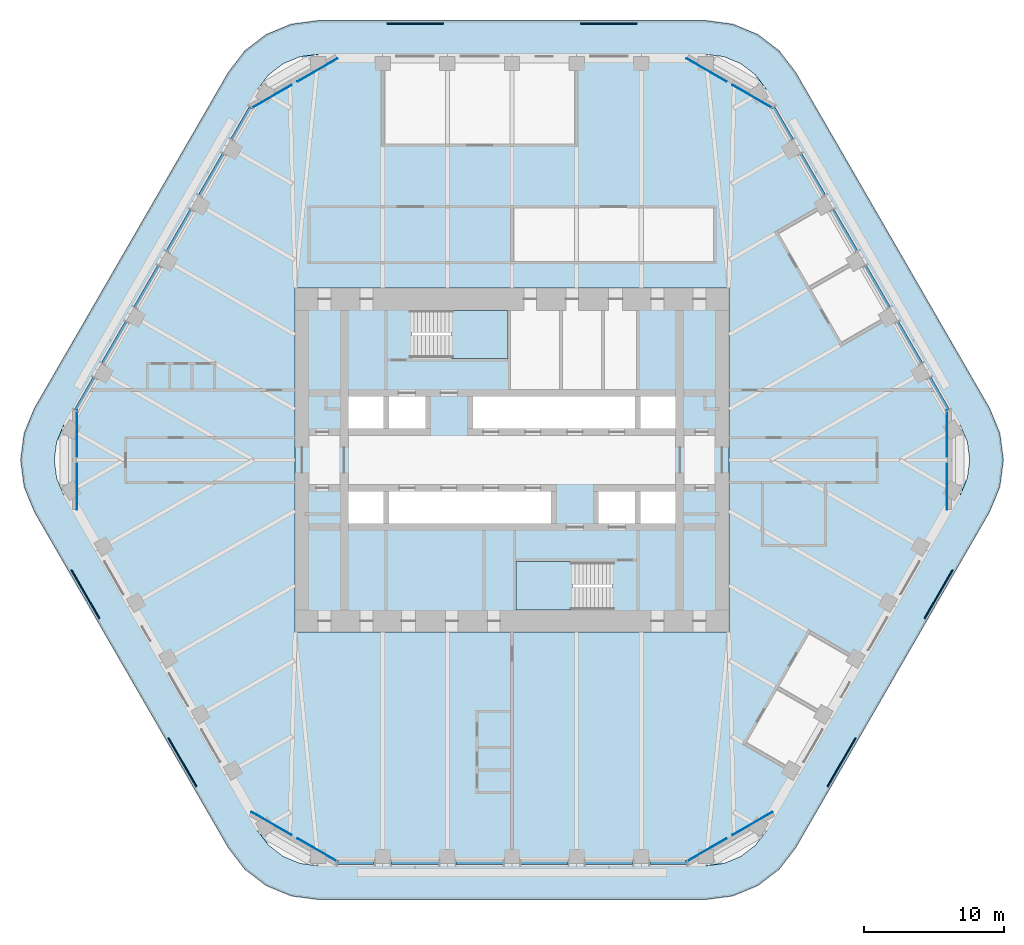
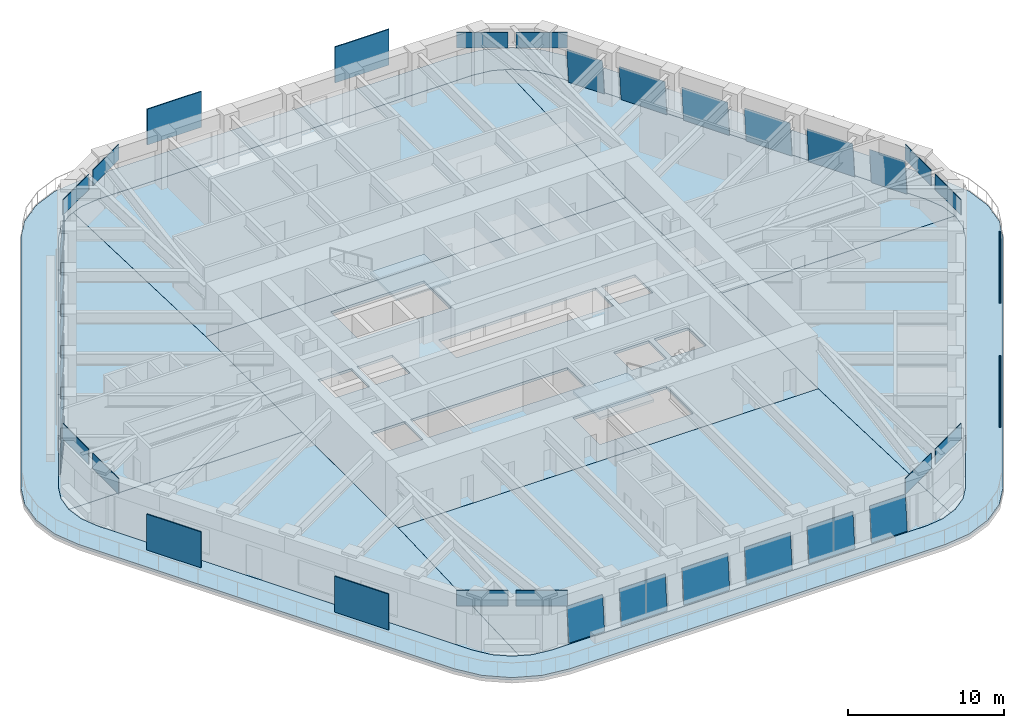
# One storey, part 13 of 20: 36 plates, 10 slabs, 20 elements without a shape of their own.
"""IFC4 building model written with IfcOpenShell, lengths in metres."""

from ifc_helpers import new_model, si_unit, direction, frame, origin, origin_2d, place, context, subcontext, project, spatial, polyline, rectangle, outline, extrude, material, layer, layer_set, type_object, element, aggregate, save


model = new_model("IFC4")

# Units and contexts
model_context = context("Model", 3, precision=1e-05, world=origin(), true_north=direction((0.0, 1.0)))
body_context = subcontext(model_context, "Body", "Model", "MODEL_VIEW")
ifc_project = project(units=[si_unit("LENGTHUNIT", "METRE"), si_unit("AREAUNIT", "SQUARE_METRE"), si_unit("VOLUMEUNIT", "CUBIC_METRE"), si_unit("PLANEANGLEUNIT", "RADIAN"), si_unit("MASSUNIT", "GRAM", prefix="KILO")], contexts=[model_context])

# Site, building, storey
site_placement = place(None, origin())
site = spatial("IfcSite", under=ifc_project, at=site_placement, CompositionType="ELEMENT")
building_placement = place(site_placement, origin())
building = spatial("IfcBuilding", under=site, at=building_placement, Name="Tarfa Lantern Tower", CompositionType="ELEMENT")
storey_placement = place(building_placement, frame((0.0, 0.0, 278.5)))
storey = spatial("IfcBuildingStorey", under=building, at=storey_placement, Name="L63", CompositionType="ELEMENT", Elevation=278.5)

# Slab
ifc_material_1 = material(Name="Concrete C40/50", Category="concrete")
ifc_layer_1 = layer(ifc_material_1, 0.199951171875)
ifc_layer_set_1 = layer_set([ifc_layer_1], Name="BS2 BALCONY SLAB 200")
slab_type_1 = type_object("IfcSlabType", Name="BS2 BALCONY SLAB 200", PredefinedType="FLOOR", material=ifc_layer_set_1)
slab_1_placement = place(storey_placement, frame((0.0, 0.0, -0.199951171875)))
element("IfcSlab", 1, at=slab_1_placement, inside=storey, type_object=slab_type_1, Name="Balcony L63", PredefinedType="FLOOR", context=body_context, shape_type="SweptSolid", body=[
    extrude(outline(polyline([(34.121337890625, 3.699951171875), (20.264892578125, 27.699951171875), (19.089111328125, 29.232666015625), (17.556396484375, 30.40869140625), (15.771728515625, 31.14794921875), (13.8564453125, 31.39990234375), (-13.8564453125, 31.39990234375), (-15.771728515625, 31.14794921875), (-17.556396484375, 30.40869140625), (-19.089111328125, 29.232666015625), (-20.264892578125, 27.699951171875), (-34.121337890625, 3.699951171875), (-34.860595703125, 1.915283203125), (-35.11279296875, 0.0), (-34.860595703125, -1.915283203125), (-34.121337890625, -3.699951171875), (-20.264892578125, -27.699951171875), (-19.089111328125, -29.232666015625), (-17.556396484375, -30.40869140625), (-15.771728515625, -31.14794921875), (-13.8564453125, -31.39990234375), (13.8564453125, -31.39990234375), (15.771728515625, -31.14794921875), (17.556396484375, -30.40869140625), (19.089111328125, -29.232666015625), (20.264892578125, -27.699951171875), (34.121337890625, -3.699951171875), (34.860595703125, -1.915283203125), (35.11279296875, 0.0), (34.860595703125, 1.915283203125), (34.121337890625, 3.699951171875)]), holes=[polyline([(32.04296875, 2.5), (18.1865234375, 26.5), (17.391845703125, 27.53564453125), (16.3564453125, 28.330078125), (15.150390625, 28.82958984375), (13.8564453125, 29.0), (-13.8564453125, 29.0), (-15.150390625, 28.82958984375), (-16.3564453125, 28.330078125), (-17.391845703125, 27.53564453125), (-18.1865234375, 26.5), (-32.04296875, 2.5), (-32.54248046875, 1.294189453125), (-32.712890625, 0.0), (-32.54248046875, -1.294189453125), (-32.04296875, -2.5), (-18.1865234375, -26.5), (-17.391845703125, -27.53564453125), (-16.3564453125, -28.330078125), (-15.150390625, -28.82958984375), (-13.8564453125, -29.0), (13.8564453125, -29.0), (15.150390625, -28.82958984375), (16.3564453125, -28.330078125), (17.391845703125, -27.53564453125), (18.1865234375, -26.5), (32.04296875, -2.5), (32.54248046875, -1.294189453125), (32.712890625, 0.0), (32.54248046875, 1.294189453125), (32.04296875, 2.5)])]), origin(), (0.0, 0.0, 1.0), 0.199951171875),
])

# Curtain wall, plate
ifc_material_2 = material(Name="Aluminium framed curtain wall", Category="aluminium")
curtain_wall_type = type_object("IfcCurtainWallType", Name="CW3 CANTED GLAZING HIGH ZONE 2800", PredefinedType="USERDEFINED", material=ifc_material_2)
curtain_wall_1_placement = place(storey_placement, origin())
curtain_wall_1 = element("IfcCurtainWall", 2, at=curtain_wall_1_placement, inside=storey, type_object=curtain_wall_type, Name="CW3 NE L63", ObjectType="CURTAIN WALL", PredefinedType="USERDEFINED")
ifc_material_3 = material(Name="Laminated double glazing", Category="glass")
ifc_layer_2 = layer(ifc_material_3, 0.028076171875)
ifc_layer_set_2 = layer_set([ifc_layer_2], Name="CWP1 DOUBLE GLAZED PANEL")
plate_type_1 = type_object("IfcPlateType", Name="CWP1 DOUBLE GLAZED PANEL", PredefinedType="CURTAIN_PANEL", material=ifc_layer_set_2)
plate_1_placement = place(storey_placement, frame((31.27392578125, 3.632080078125, 0.0), z_axis=(0.862596006768, 0.498013045463, 0.08894456508), x_axis=(-0.499995010144, 0.866028284653, 3.548924e-06)))
plate_1 = element("IfcPlate", 3, at=plate_1_placement, type_object=plate_type_1, Name="CW3 panel 1.1", PredefinedType="CURTAIN_PANEL", context=body_context, shape_type="SweptSolid", body=[
    extrude(outline(polyline([(0.0, 0.0), (2.63900483458552, 0.0), (2.639010033574038, 2.7459815404063015), (0.00012726808279123097, 2.7460003457631657), (0.0, 0.0)])), origin(), (0.0, 0.0, -1.0), 0.028076171875),
])
aggregate(curtain_wall_1, [plate_1])

curtain_wall_2_placement = place(storey_placement, origin())
curtain_wall_2 = element("IfcCurtainWall", 4, at=curtain_wall_2_placement, inside=storey, type_object=curtain_wall_type, Name="CW3 NE L63", ObjectType="CURTAIN WALL", PredefinedType="USERDEFINED")
plate_2_placement = place(storey_placement, frame((29.33935546875, 6.982666015625, 0.0), z_axis=(0.862606111226, 0.498002363523, 0.08890637098), x_axis=(-0.499982299553, 0.866035622901, 0.0)))
plate_2 = element("IfcPlate", 5, at=plate_2_placement, type_object=plate_type_1, Name="CW3 panel 1.1", PredefinedType="CURTAIN_PANEL", context=body_context, shape_type="SweptSolid", body=[
    extrude(outline(polyline([(0.0, 0.0), (3.3887918412577953, 0.0), (3.3887837504284137, 2.74598154241817), (-8.090829381399156e-06, 2.74598154241817), (0.0, 0.0)])), origin(), (0.0, 0.0, -1.0), 0.028076171875),
])
aggregate(curtain_wall_2, [plate_2])

curtain_wall_3_placement = place(storey_placement, origin())
curtain_wall_3 = element("IfcCurtainWall", 6, at=curtain_wall_3_placement, inside=storey, type_object=curtain_wall_type, Name="CW3 NE L63", ObjectType="CURTAIN WALL", PredefinedType="USERDEFINED")
plate_3_placement = place(storey_placement, frame((27.030029296875, 10.982666015625, 0.0), z_axis=(0.862606111226, 0.498002363523, 0.08890637098), x_axis=(-0.499982299553, 0.866035622901, 0.0)))
plate_3 = element("IfcPlate", 7, at=plate_3_placement, type_object=plate_type_1, Name="CW3 panel 1.1", PredefinedType="CURTAIN_PANEL", context=body_context, shape_type="SweptSolid", body=[
    extrude(outline(polyline([(0.0, 0.0), (3.3887918412577953, 0.0), (3.3887837504284137, 2.74598154241817), (-8.090829381399156e-06, 2.74598154241817), (0.0, 0.0)])), origin(), (0.0, 0.0, -1.0), 0.028076171875),
])
aggregate(curtain_wall_3, [plate_3])

curtain_wall_4_placement = place(storey_placement, origin())
curtain_wall_4 = element("IfcCurtainWall", 8, at=curtain_wall_4_placement, inside=storey, type_object=curtain_wall_type, Name="CW3 NE L63", ObjectType="CURTAIN WALL", PredefinedType="USERDEFINED")
plate_4_placement = place(storey_placement, frame((24.720703125, 14.982666015625, 0.0), z_axis=(0.862587622286, 0.498027567796, 0.088944564725), x_axis=(-0.500009529513, 0.866019901843, 2.763581e-06)))
plate_4 = element("IfcPlate", 9, at=plate_4_placement, type_object=plate_type_1, Name="CW3 panel 1.1", PredefinedType="CURTAIN_PANEL", context=body_context, shape_type="SweptSolid", body=[
    extrude(outline(polyline([(0.0, 0.0), (3.3889139122087784, 5.551115123125783e-17), (3.3889210562595635, 2.7459815404019694), (0.00012921668982732873, 2.746000345672202), (0.0, 0.0)])), origin(), (0.0, 0.0, -1.0), 0.028076171875),
])
aggregate(curtain_wall_4, [plate_4])

curtain_wall_5_placement = place(storey_placement, origin())
curtain_wall_5 = element("IfcCurtainWall", 10, at=curtain_wall_5_placement, inside=storey, type_object=curtain_wall_type, Name="CW3 NE L63", ObjectType="CURTAIN WALL", PredefinedType="USERDEFINED")
plate_5_placement = place(storey_placement, frame((22.4111328125, 18.982666015625, 0.0), z_axis=(0.862606111226, 0.498002363523, 0.08890637098), x_axis=(-0.499982299553, 0.866035622901, 0.0)))
plate_5 = element("IfcPlate", 11, at=plate_5_placement, type_object=plate_type_1, Name="CW3 panel 1.1", PredefinedType="CURTAIN_PANEL", context=body_context, shape_type="SweptSolid", body=[
    extrude(outline(polyline([(0.0, 0.0), (3.3887918412577953, 0.0), (3.3887837504284137, 2.74598154241817), (-8.090829381399156e-06, 2.74598154241817), (0.0, 0.0)])), origin(), (0.0, 0.0, -1.0), 0.028076171875),
])
aggregate(curtain_wall_5, [plate_5])

curtain_wall_6_placement = place(storey_placement, origin())
curtain_wall_6 = element("IfcCurtainWall", 12, at=curtain_wall_6_placement, inside=storey, type_object=curtain_wall_type, Name="CW3 NE L63", ObjectType="CURTAIN WALL", PredefinedType="USERDEFINED")
plate_6_placement = place(storey_placement, frame((20.101806640625, 22.982666015625, 0.0), z_axis=(0.862595873499, 0.498020096195, 0.088906371021), x_axis=(-0.500000102728, 0.866025344474, 0.0)))
plate_6 = element("IfcPlate", 13, at=plate_6_placement, type_object=plate_type_1, Name="CW3 panel 1.1", PredefinedType="CURTAIN_PANEL", context=body_context, shape_type="SweptSolid", body=[
    extrude(outline(polyline([(0.0, 0.0), (2.638671332866802, -2.7755575615628914e-17), (2.638668260778366, 2.7459815424283702), (-3.072088436501354e-06, 2.7459815424283702), (0.0, 0.0)])), origin(), (0.0, 0.0, -1.0), 0.028076171875),
])
aggregate(curtain_wall_6, [plate_6])

curtain_wall_7_placement = place(storey_placement, origin())
curtain_wall_7 = element("IfcCurtainWall", 14, at=curtain_wall_7_placement, inside=storey, type_object=curtain_wall_type, Name="CW3 NW L63", ObjectType="CURTAIN WALL", PredefinedType="USERDEFINED")
plate_7_placement = place(storey_placement, frame((-18.782470703125, 25.267822265625, 0.0), z_axis=(-0.862595873499, 0.498020096195, 0.088906371021), x_axis=(-0.500000102728, -0.866025344474, 0.0)))
plate_7 = element("IfcPlate", 15, at=plate_7_placement, type_object=plate_type_1, Name="CW3 panel 1.1", PredefinedType="CURTAIN_PANEL", context=body_context, shape_type="SweptSolid", body=[
    extrude(outline(polyline([(0.0, 0.0), (2.638671332866802, 2.7755575615628914e-17), (2.6386744049552386, 2.7459815424283702), (3.072088436501354e-06, 2.7459815424283702), (0.0, 0.0)])), origin(), (0.0, 0.0, -1.0), 0.028076171875),
])
aggregate(curtain_wall_7, [plate_7])

curtain_wall_8_placement = place(storey_placement, origin())
curtain_wall_8 = element("IfcCurtainWall", 16, at=curtain_wall_8_placement, inside=storey, type_object=curtain_wall_type, Name="CW3 NW L63", ObjectType="CURTAIN WALL", PredefinedType="USERDEFINED")
plate_8_placement = place(storey_placement, frame((-20.716796875, 21.91748046875, 0.0), z_axis=(-0.862606111226, 0.498002363523, 0.08890637098), x_axis=(-0.499982299553, -0.866035622901, 0.0)))
plate_8 = element("IfcPlate", 17, at=plate_8_placement, type_object=plate_type_1, Name="CW3 panel 1.1", PredefinedType="CURTAIN_PANEL", context=body_context, shape_type="SweptSolid", body=[
    extrude(outline(polyline([(0.0, 0.0), (3.3887918412577953, 0.0), (3.3887999320871764, 2.74598154241817), (8.090829381399156e-06, 2.74598154241817), (0.0, 0.0)])), origin(), (0.0, 0.0, -1.0), 0.028076171875),
])
aggregate(curtain_wall_8, [plate_8])

curtain_wall_9_placement = place(storey_placement, origin())
curtain_wall_9 = element("IfcCurtainWall", 18, at=curtain_wall_9_placement, inside=storey, type_object=curtain_wall_type, Name="CW3 NW L63", ObjectType="CURTAIN WALL", PredefinedType="USERDEFINED")
plate_9_placement = place(storey_placement, frame((-23.026123046875, 17.91748046875, 0.0), z_axis=(-0.862587622286, 0.498027567796, 0.088944564725), x_axis=(-0.500009529513, -0.866019901843, -2.763581e-06)))
plate_9 = element("IfcPlate", 19, at=plate_9_placement, type_object=plate_type_1, Name="CW3 panel 1.1", PredefinedType="CURTAIN_PANEL", context=body_context, shape_type="SweptSolid", body=[
    extrude(outline(polyline([(0.0, 0.0), (3.3889139122087784, -5.551115123125783e-17), (3.3887846955189507, 2.746000345672202), (-7.144050785966382e-06, 2.7459815404019694), (0.0, 0.0)])), origin(), (0.0, 0.0, -1.0), 0.028076171875),
])
aggregate(curtain_wall_9, [plate_9])

curtain_wall_10_placement = place(storey_placement, origin())
curtain_wall_10 = element("IfcCurtainWall", 20, at=curtain_wall_10_placement, inside=storey, type_object=curtain_wall_type, Name="CW3 NW L63", ObjectType="CURTAIN WALL", PredefinedType="USERDEFINED")
plate_10_placement = place(storey_placement, frame((-25.335693359375, 13.91748046875, 0.0), z_axis=(-0.862606111226, 0.498002363523, 0.08890637098), x_axis=(-0.499982299553, -0.866035622901, 0.0)))
plate_10 = element("IfcPlate", 21, at=plate_10_placement, type_object=plate_type_1, Name="CW3 panel 1.1", PredefinedType="CURTAIN_PANEL", context=body_context, shape_type="SweptSolid", body=[
    extrude(outline(polyline([(0.0, 0.0), (3.3887918412577953, 0.0), (3.3887999320871764, 2.74598154241817), (8.090829381399156e-06, 2.74598154241817), (0.0, 0.0)])), origin(), (0.0, 0.0, -1.0), 0.028076171875),
])
aggregate(curtain_wall_10, [plate_10])

curtain_wall_11_placement = place(storey_placement, origin())
curtain_wall_11 = element("IfcCurtainWall", 22, at=curtain_wall_11_placement, inside=storey, type_object=curtain_wall_type, Name="CW3 NW L63", ObjectType="CURTAIN WALL", PredefinedType="USERDEFINED")
plate_11_placement = place(storey_placement, frame((-27.64501953125, 9.91748046875, 0.0), z_axis=(-0.862606111226, 0.498002363523, 0.08890637098), x_axis=(-0.499982299553, -0.866035622901, 0.0)))
plate_11 = element("IfcPlate", 23, at=plate_11_placement, type_object=plate_type_1, Name="CW3 panel 1.1", PredefinedType="CURTAIN_PANEL", context=body_context, shape_type="SweptSolid", body=[
    extrude(outline(polyline([(0.0, 0.0), (3.3887918412577953, 0.0), (3.3887999320871764, 2.74598154241817), (8.090829381399156e-06, 2.74598154241817), (0.0, 0.0)])), origin(), (0.0, 0.0, -1.0), 0.028076171875),
])
aggregate(curtain_wall_11, [plate_11])

curtain_wall_12_placement = place(storey_placement, origin())
curtain_wall_12 = element("IfcCurtainWall", 24, at=curtain_wall_12_placement, inside=storey, type_object=curtain_wall_type, Name="CW3 NW L63", ObjectType="CURTAIN WALL", PredefinedType="USERDEFINED")
plate_12_placement = place(storey_placement, frame((-29.954345703125, 5.91748046875, 0.0), z_axis=(-0.862596006768, 0.498013045463, 0.08894456508), x_axis=(-0.499995010144, -0.866028284653, -3.548924e-06)))
plate_12 = element("IfcPlate", 25, at=plate_12_placement, type_object=plate_type_1, Name="CW3 panel 1.1", PredefinedType="CURTAIN_PANEL", context=body_context, shape_type="SweptSolid", body=[
    extrude(outline(polyline([(0.0, 0.0), (2.63900483458552, 0.0), (2.6388775665027286, 2.7460003457631657), (-5.198988517736766e-06, 2.7459815404063015), (0.0, 0.0)])), origin(), (0.0, 0.0, -1.0), 0.028076171875),
])
aggregate(curtain_wall_12, [plate_12])

curtain_wall_13_placement = place(storey_placement, origin())
curtain_wall_13 = element("IfcCurtainWall", 26, at=curtain_wall_13_placement, inside=storey, type_object=curtain_wall_type, Name="CW3 S L63", ObjectType="CURTAIN WALL", PredefinedType="USERDEFINED")
plate_13_placement = place(storey_placement, frame((-12.491455078125, -28.89990234375, 0.0), z_axis=(0.0, -0.996039814532, 0.088908311571), x_axis=(1.0, 0.0, 0.0)))
plate_13 = element("IfcPlate", 27, at=plate_13_placement, type_object=plate_type_1, Name="CW3 panel 1.1", PredefinedType="CURTAIN_PANEL", context=body_context, shape_type="SweptSolid", body=[
    extrude(outline(polyline([(0.0, 0.0), (2.638916015625, 0.0), (2.638916015625, 2.7459820199650076), (0.0, 2.7459820199650076), (0.0, 0.0)])), origin(), (0.0, 0.0, -1.0), 0.028076171875),
])
aggregate(curtain_wall_13, [plate_13])

curtain_wall_14_placement = place(storey_placement, origin())
curtain_wall_14 = element("IfcCurtainWall", 28, at=curtain_wall_14_placement, inside=storey, type_object=curtain_wall_type, Name="CW3 S L63", ObjectType="CURTAIN WALL", PredefinedType="USERDEFINED")
plate_14_placement = place(storey_placement, frame((-8.62255859375, -28.89990234375, 0.0), z_axis=(0.0, -0.996039814532, 0.088908311571), x_axis=(1.0, 0.0, 0.0)))
plate_14 = element("IfcPlate", 29, at=plate_14_placement, type_object=plate_type_1, Name="CW3 panel 1.1", PredefinedType="CURTAIN_PANEL", context=body_context, shape_type="SweptSolid", body=[
    extrude(outline(polyline([(0.0, 0.0), (3.388671875, 0.0), (3.388671875, 2.745982019965007), (0.0, 2.745982019965007), (0.0, 0.0)])), origin(), (0.0, 0.0, -1.0), 0.028076171875),
])
aggregate(curtain_wall_14, [plate_14])

curtain_wall_15_placement = place(storey_placement, origin())
curtain_wall_15 = element("IfcCurtainWall", 30, at=curtain_wall_15_placement, inside=storey, type_object=curtain_wall_type, Name="CW3 S L63", ObjectType="CURTAIN WALL", PredefinedType="USERDEFINED")
plate_15_placement = place(storey_placement, frame((-4.00390625, -28.89990234375, 0.0), z_axis=(0.0, -0.996039814532, 0.088908311571), x_axis=(1.0, 0.0, 0.0)))
plate_15 = element("IfcPlate", 31, at=plate_15_placement, type_object=plate_type_1, Name="CW3 panel 1.1", PredefinedType="CURTAIN_PANEL", context=body_context, shape_type="SweptSolid", body=[
    extrude(outline(polyline([(0.0, 0.0), (3.388916015625, 0.0), (3.388916015625, 2.745982019965007), (0.0, 2.745982019965007), (0.0, 0.0)])), origin(), (0.0, 0.0, -1.0), 0.028076171875),
])
aggregate(curtain_wall_15, [plate_15])

curtain_wall_16_placement = place(storey_placement, origin())
curtain_wall_16 = element("IfcCurtainWall", 32, at=curtain_wall_16_placement, inside=storey, type_object=curtain_wall_type, Name="CW3 S L63", ObjectType="CURTAIN WALL", PredefinedType="USERDEFINED")
plate_16_placement = place(storey_placement, frame((0.614990234375, -28.89990234375, 0.0), z_axis=(0.0, -0.996039814532, 0.088908311571), x_axis=(1.0, 0.0, 0.0)))
plate_16 = element("IfcPlate", 33, at=plate_16_placement, type_object=plate_type_1, Name="CW3 panel 1.1", PredefinedType="CURTAIN_PANEL", context=body_context, shape_type="SweptSolid", body=[
    extrude(outline(polyline([(0.0, 0.0), (3.388916015625, 0.0), (3.388916015625, 2.745982019965007), (0.0, 2.745982019965007), (0.0, 0.0)])), origin(), (0.0, 0.0, -1.0), 0.028076171875),
])
aggregate(curtain_wall_16, [plate_16])

curtain_wall_17_placement = place(storey_placement, origin())
curtain_wall_17 = element("IfcCurtainWall", 34, at=curtain_wall_17_placement, inside=storey, type_object=curtain_wall_type, Name="CW3 S L63", ObjectType="CURTAIN WALL", PredefinedType="USERDEFINED")
plate_17_placement = place(storey_placement, frame((5.23388671875, -28.89990234375, 0.0), z_axis=(0.0, -0.996039814532, 0.088908311571), x_axis=(1.0, 0.0, 0.0)))
plate_17 = element("IfcPlate", 35, at=plate_17_placement, type_object=plate_type_1, Name="CW3 panel 1.1", PredefinedType="CURTAIN_PANEL", context=body_context, shape_type="SweptSolid", body=[
    extrude(outline(polyline([(0.0, 0.0), (3.388671875, 0.0), (3.388671875, 2.745982019965007), (0.0, 2.745982019965007), (0.0, 0.0)])), origin(), (0.0, 0.0, -1.0), 0.028076171875),
])
aggregate(curtain_wall_17, [plate_17])

curtain_wall_18_placement = place(storey_placement, origin())
curtain_wall_18 = element("IfcCurtainWall", 36, at=curtain_wall_18_placement, inside=storey, type_object=curtain_wall_type, Name="CW3 S L63", ObjectType="CURTAIN WALL", PredefinedType="USERDEFINED")
plate_18_placement = place(storey_placement, frame((9.8525390625, -28.89990234375, 0.0), z_axis=(0.0, -0.996039814532, 0.088908311571), x_axis=(1.0, 0.0, 0.0)))
plate_18 = element("IfcPlate", 37, at=plate_18_placement, type_object=plate_type_1, Name="CW3 panel 1.1", PredefinedType="CURTAIN_PANEL", context=body_context, shape_type="SweptSolid", body=[
    extrude(outline(polyline([(0.0, 0.0), (2.638916015625, 0.0), (2.638916015625, 2.7459820199650076), (0.0, 2.7459820199650076), (0.0, 0.0)])), origin(), (0.0, 0.0, -1.0), 0.028076171875),
])
aggregate(curtain_wall_18, [plate_18])

# Slabs
ifc_layer_3 = layer(ifc_material_1, 0.199951171875)
ifc_layer_set_3 = layer_set([ifc_layer_3], Name="FS1 FLOOR SLAB 200")
slab_type_2 = type_object("IfcSlabType", Name="FS1 FLOOR SLAB 200", PredefinedType="FLOOR", material=ifc_layer_set_3)
slab_2_placement = place(storey_placement, frame((0.0, 0.0, -0.199951171875)))
element("IfcSlab", 38, at=slab_2_placement, inside=storey, type_object=slab_type_2, Name="Floor slab L63", PredefinedType="FLOOR", context=body_context, shape_type="SweptSolid", body=[
    extrude(outline(polyline([(-15.5, -12.300048828125), (15.5, -12.300048828125), (15.5, 12.300048828125), (-15.5, 12.300048828125), (-15.5, -12.300048828125)]), holes=[polyline([(-11.699951171875, 2.25), (-9.199951171875, 2.25), (-9.199951171875, 4.550048828125), (-11.699951171875, 4.550048828125), (-11.699951171875, 2.25)]), polyline([(-8.800048828125, 2.25), (-6.199951171875, 2.25), (-6.199951171875, 4.550048828125), (-8.800048828125, 4.550048828125), (-8.800048828125, 2.25)]), polyline([(-2.800048828125, 2.25), (8.800048828125, 2.25), (8.800048828125, 4.550048828125), (-2.800048828125, 4.550048828125), (-2.800048828125, 2.25)]), polyline([(9.199951171875, 2.25), (11.699951171875, 2.25), (11.699951171875, 4.550048828125), (9.199951171875, 4.550048828125), (9.199951171875, 2.25)]), polyline([(11.699951171875, -2.25), (9.199951171875, -2.25), (9.199951171875, -4.550048828125), (11.699951171875, -4.550048828125), (11.699951171875, -2.25)]), polyline([(8.800048828125, -2.25), (6.199951171875, -2.25), (6.199951171875, -4.550048828125), (8.800048828125, -4.550048828125), (8.800048828125, -2.25)]), polyline([(2.800048828125, -2.25), (-8.800048828125, -2.25), (-8.800048828125, -4.550048828125), (2.800048828125, -4.550048828125), (2.800048828125, -2.25)]), polyline([(-9.199951171875, -2.25), (-11.699951171875, -2.25), (-11.699951171875, -4.550048828125), (-9.199951171875, -4.550048828125), (-9.199951171875, -2.25)]), polyline([(-7.199951171875, 7.25), (-0.300048828125, 7.25), (-0.300048828125, 10.699951171875), (-7.199951171875, 10.699951171875), (-7.199951171875, 7.25)]), polyline([(7.199951171875, -7.25), (0.300048828125, -7.25), (0.300048828125, -10.699951171875), (7.199951171875, -10.699951171875), (7.199951171875, -7.25)])]), origin(), (0.0, 0.0, 1.0), 0.199951171875),
])
slab_3_placement = place(storey_placement, frame((0.0, 0.0, -0.199951171875)))
element("IfcSlab", 39, at=slab_3_placement, inside=storey, type_object=slab_type_2, Name="Floor slab L63 NE bay", PredefinedType="FLOOR", context=body_context, shape_type="SweptSolid", body=[
    extrude(outline(polyline([(32.041259765625, 2.4990234375), (18.184814453125, 26.498779296875), (17.390625, 27.5341796875), (16.35546875, 28.328369140625), (15.927490234375, 28.505615234375), (15.501953125, 12.300048828125), (15.501953125, 0.001953125), (32.71044921875, 0.001953125), (32.54052734375, 1.29345703125), (32.041259765625, 2.4990234375)])), origin(), (0.0, 0.0, 1.0), 0.199951171875),
])
slab_4_placement = place(storey_placement, frame((0.0, 0.0, -0.199951171875)))
element("IfcSlab", 40, at=slab_4_placement, inside=storey, type_object=slab_type_2, Name="Floor slab L63 N bay", PredefinedType="FLOOR", context=body_context, shape_type="SweptSolid", body=[
    extrude(outline(polyline([(-15.498046875, 12.302001953125), (15.498046875, 12.302001953125), (15.923583984375, 28.50732421875), (15.14990234375, 28.82763671875), (13.856201171875, 28.998046875), (-13.856201171875, 28.998046875), (-15.14990234375, 28.82763671875), (-15.923583984375, 28.50732421875), (-15.498046875, 12.302001953125)])), origin(), (0.0, 0.0, 1.0), 0.199951171875),
])
slab_5_placement = place(storey_placement, frame((0.0, 0.0, -0.199951171875)))
element("IfcSlab", 41, at=slab_5_placement, inside=storey, type_object=slab_type_2, Name="Floor slab L63 NW bay", PredefinedType="FLOOR", context=body_context, shape_type="SweptSolid", body=[
    extrude(outline(polyline([(-15.501953125, 0.001953125), (-15.501953125, 12.300048828125), (-15.927490234375, 28.505615234375), (-16.35546875, 28.328369140625), (-17.390625, 27.5341796875), (-18.184814453125, 26.498779296875), (-32.041259765625, 2.4990234375), (-32.54052734375, 1.29345703125), (-32.71044921875, 0.001953125), (-15.501953125, 0.001953125)])), origin(), (0.0, 0.0, 1.0), 0.199951171875),
])
slab_6_placement = place(storey_placement, frame((0.0, 0.0, -0.199951171875)))
element("IfcSlab", 42, at=slab_6_placement, inside=storey, type_object=slab_type_2, Name="Floor slab L63 SW bay", PredefinedType="FLOOR", context=body_context, shape_type="SweptSolid", body=[
    extrude(outline(polyline([(-15.501953125, -12.300048828125), (-15.501953125, -0.001953125), (-32.71044921875, -0.001953125), (-32.54052734375, -1.29345703125), (-32.041259765625, -2.4990234375), (-18.184814453125, -26.498779296875), (-17.390625, -27.5341796875), (-16.35546875, -28.328369140625), (-15.927490234375, -28.505615234375), (-15.501953125, -12.300048828125)])), origin(), (0.0, 0.0, 1.0), 0.199951171875),
])
slab_7_placement = place(storey_placement, frame((0.0, 0.0, -0.199951171875)))
element("IfcSlab", 43, at=slab_7_placement, inside=storey, type_object=slab_type_2, Name="Floor slab L63 S bay", PredefinedType="FLOOR", context=body_context, shape_type="SweptSolid", body=[
    extrude(outline(polyline([(15.498046875, -12.302001953125), (-15.498046875, -12.302001953125), (-15.923583984375, -28.50732421875), (-15.14990234375, -28.82763671875), (-13.856201171875, -28.998046875), (13.856201171875, -28.998046875), (15.14990234375, -28.82763671875), (15.923583984375, -28.50732421875), (15.498046875, -12.302001953125)])), origin(), (0.0, 0.0, 1.0), 0.199951171875),
])
slab_8_placement = place(storey_placement, frame((0.0, 0.0, -0.199951171875)))
element("IfcSlab", 44, at=slab_8_placement, inside=storey, type_object=slab_type_2, Name="Floor slab L63 SE bay", PredefinedType="FLOOR", context=body_context, shape_type="SweptSolid", body=[
    extrude(outline(polyline([(15.501953125, -0.001953125), (15.501953125, -12.300048828125), (15.927490234375, -28.505615234375), (16.35546875, -28.328369140625), (17.390625, -27.5341796875), (18.184814453125, -26.498779296875), (32.041259765625, -2.4990234375), (32.54052734375, -1.29345703125), (32.71044921875, -0.001953125), (15.501953125, -0.001953125)])), origin(), (0.0, 0.0, 1.0), 0.199951171875),
])

# Plates
ifc_material_4 = material(Name="Aluminium fascia panel", Category="aluminium")
ifc_layer_4 = layer(ifc_material_4, 0.050048828125)
ifc_layer_set_4 = layer_set([ifc_layer_4], Name="LF1 LOGGIA HEAD FASCIA 50")
plate_type_2 = type_object("IfcPlateType", Name="LF1 LOGGIA HEAD FASCIA 50", PredefinedType="USERDEFINED", material=ifc_layer_set_4)
for number, where, z_axis, x_axis, name in (
    (45, (17.18994140625, 25.972900390625, 2.7998046875), (0.0, 0.0, 1.0), (-0.866025403784, 0.5, 0.0), "Garden head fascia NE-N"),
    (46, (13.898193359375, 27.873291015625, 2.7998046875), (0.0, 0.0, 1.0), (-0.866025403784, 0.5, 0.0), "Garden head fascia NE-N"),
    (47, (-13.898193359375, 27.873291015625, 2.7998046875), (0.0, 0.0, 1.0), (-0.866025403784, -0.5, 0.0), "Garden head fascia N-NW"),
    (48, (-17.18994140625, 25.972900390625, 2.7998046875), (0.0, 0.0, 1.0), (-0.866025403784, -0.5, 0.0), "Garden head fascia N-NW"),
    (49, (-31.088134765625, 1.900390625, 2.7998046875), (0.0, 0.0, 1.0), (0.0, -1.0, 0.0), "Garden head fascia NW-SW"),
    (50, (-31.088134765625, -1.900390625, 2.7998046875), (0.0, 0.0, 1.0), (0.0, -1.0, 0.0), "Garden head fascia NW-SW"),
    (51, (-17.18994140625, -25.972900390625, 2.7998046875), (0.0, 0.0, 1.0), (0.866025403784, -0.5, 0.0), "Garden head fascia SW-S"),
    (52, (-13.898193359375, -27.873291015625, 2.7998046875), (0.0, 0.0, 1.0), (0.866025403784, -0.5, 0.0), "Garden head fascia SW-S"),
    (53, (13.898193359375, -27.873291015625, 2.7998046875), (0.0, 0.0, 1.0), (0.866025403784, 0.5, 0.0), "Garden head fascia S-SE"),
    (54, (17.18994140625, -25.972900390625, 2.7998046875), (0.0, 0.0, 1.0), (0.866025403784, 0.5, 0.0), "Garden head fascia S-SE"),
    (55, (31.088134765625, -1.900390625, 2.7998046875), (0.0, 0.0, 1.0), (0.0, 1.0, 0.0), "Garden head fascia SE-NE"),
    (56, (31.088134765625, 1.900390625, 2.7998046875), (0.0, 0.0, 1.0), (0.0, 1.0, 0.0), "Garden head fascia SE-NE"),
):
    element("IfcPlate", number, at=place(storey_placement, frame(where, z_axis=z_axis, x_axis=x_axis)), inside=storey, type_object=plate_type_2, Name=name, ObjectType="FASCIA", PredefinedType="USERDEFINED", context=body_context, shape_type="SweptSolid", body=[
        extrude(rectangle(XDim=3.30078125, YDim=0.050048828125, at=origin_2d()), origin(), (0.0, 0.0, 1.0), 1.199951171875),
    ])
ifc_material_5 = material(Name="Perforated limestone screen", Category="masonry")
ifc_layer_5 = layer(ifc_material_5, 0.080078125)
ifc_layer_set_5 = layer_set([ifc_layer_5], Name="SC1 STONE SCREEN 80")
plate_type_3 = type_object("IfcPlateType", Name="SC1 STONE SCREEN 80", PredefinedType="USERDEFINED", material=ifc_layer_set_5)
for number, where, z_axis, x_axis, name in (
    (57, (6.92822265625, 31.199951171875, 1.2001953125), (0.0, 0.0, 1.0), (-1.0, 0.0, 0.0), "Stone screen N 1"),
    (58, (-6.92822265625, 31.199951171875, 1.2001953125), (0.0, 0.0, 1.0), (-1.0, 0.0, 0.0), "Stone screen N 2"),
    (59, (-30.484130859375, -9.60009765625, 1.2001953125), (0.0, 0.0, 1.0), (0.5, -0.866025403784, 0.0), "Stone screen SW 1"),
    (60, (-23.555908203125, -21.60009765625, 1.2001953125), (0.0, 0.0, 1.0), (0.5, -0.866025403784, 0.0), "Stone screen SW 2"),
    (61, (23.555908203125, -21.60009765625, 1.2001953125), (0.0, 0.0, 1.0), (0.5, 0.866025403784, 0.0), "Stone screen SE 1"),
    (62, (30.484130859375, -9.60009765625, 1.2001953125), (0.0, 0.0, 1.0), (0.5, 0.866025403784, 0.0), "Stone screen SE 2"),
):
    element("IfcPlate", number, at=place(storey_placement, frame(where, z_axis=z_axis, x_axis=x_axis)), inside=storey, type_object=plate_type_3, Name=name, ObjectType="SCREEN", PredefinedType="USERDEFINED", context=body_context, shape_type="SweptSolid", body=[
        extrude(rectangle(XDim=4.0, YDim=0.080078125, at=origin_2d()), origin(), (0.0, 0.0, 1.0), 2.800048828125),
    ])

# Stair, slab
stair_type = type_object("IfcStairType", Name="ST-T10 HALF-TURN STAIR 4200 RISE", PredefinedType="HALF_TURN_STAIR", material=ifc_material_1)
stair_1_placement = place(storey_placement, origin())
stair_1 = element("IfcStair", 63, at=stair_1_placement, inside=storey, type_object=stair_type, Name="Stair ST1", PredefinedType="HALF_TURN_STAIR")
ifc_layer_6 = layer(ifc_material_1, 0.199951171875)
ifc_layer_set_6 = layer_set([ifc_layer_6], Name="SL1 STAIR LANDING 200")
slab_type_3 = type_object("IfcSlabType", Name="SL1 STAIR LANDING 200", PredefinedType="LANDING", material=ifc_layer_set_6)
slab_9_placement = place(storey_placement, frame((0.0, 0.0, 1.89990234375)))
slab_9 = element("IfcSlab", 64, at=slab_9_placement, type_object=slab_type_3, Name="ST1 landing 1", PredefinedType="LANDING", context=body_context, shape_type="SweptSolid", body=[
    extrude(outline(polyline([(-4.320068359375, 7.25), (-0.300048828125, 7.25), (-0.300048828125, 10.699951171875), (-4.320068359375, 10.699951171875), (-4.320068359375, 7.25)])), origin(), (0.0, 0.0, 1.0), 0.2001953125),
])
aggregate(stair_1, [slab_9])

stair_2_placement = place(storey_placement, origin())
stair_2 = element("IfcStair", 65, at=stair_2_placement, inside=storey, type_object=stair_type, Name="Stair ST2", PredefinedType="HALF_TURN_STAIR")
slab_10_placement = place(storey_placement, frame((0.0, 0.0, 1.89990234375)))
slab_10 = element("IfcSlab", 66, at=slab_10_placement, type_object=slab_type_3, Name="ST2 landing 1", PredefinedType="LANDING", context=body_context, shape_type="SweptSolid", body=[
    extrude(outline(polyline([(4.320068359375, -7.25), (0.300048828125, -7.25), (0.300048828125, -10.699951171875), (4.320068359375, -10.699951171875), (4.320068359375, -7.25)])), origin(), (0.0, 0.0, 1.0), 0.2001953125),
])
aggregate(stair_2, [slab_10])

save(model, "model.ifc")
